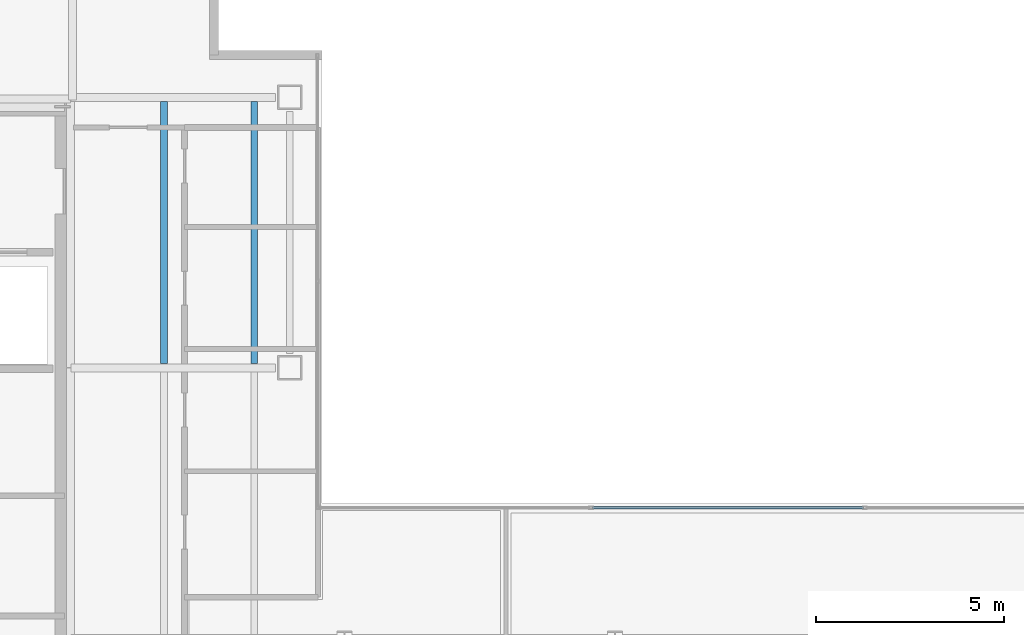
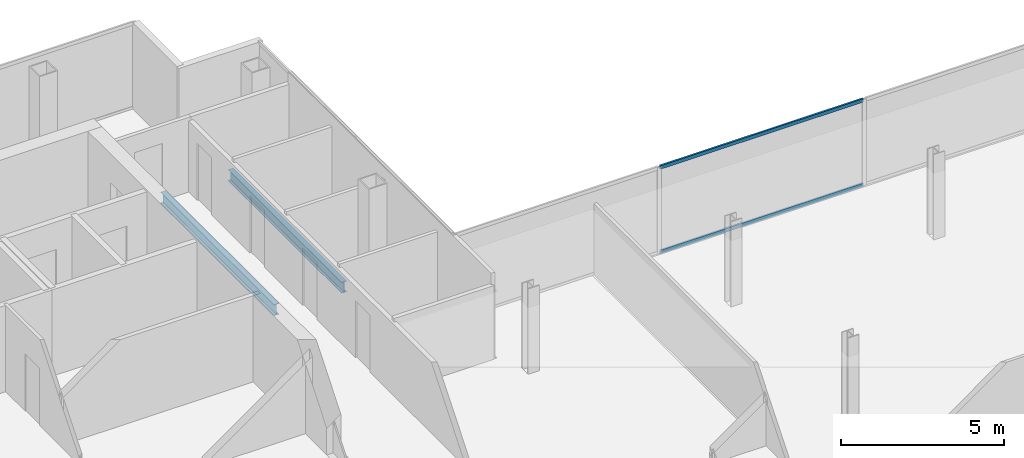
# One storey, part 10 of 24: 2 beams, 2 members, 1 element without a shape of its own.
"""IFC4 building model written with IfcOpenShell, lengths in metres."""

from ifc_helpers import new_model, si_unit, direction, frame, origin, origin_2d, place, context, subcontext, project, spatial, hollow_rectangle, i_section, extrude, material, material_profile, profile_set, type_object, element, aggregate, save


model = new_model("IFC4")

# Units and contexts
model_context = context("Model", 3, precision=1e-05, world=origin(), true_north=direction((0.0, 1.0)))
body_context = subcontext(model_context, "Body", "Model", "MODEL_VIEW")
ifc_project = project(units=[si_unit("LENGTHUNIT", "METRE"), si_unit("AREAUNIT", "SQUARE_METRE"), si_unit("VOLUMEUNIT", "CUBIC_METRE"), si_unit("PLANEANGLEUNIT", "RADIAN"), si_unit("MASSUNIT", "GRAM", prefix="KILO")], contexts=[model_context])

# Site, building, storey
site_placement = place(None, origin())
site = spatial("IfcSite", under=ifc_project, at=site_placement, CompositionType="ELEMENT")
building_placement = place(site_placement, origin())
building = spatial("IfcBuilding", under=site, at=building_placement, Name="Cobrela Telecom Tower", CompositionType="ELEMENT")
storey_placement = place(building_placement, frame((0.0, 0.0, 241.14990234375)))
storey = spatial("IfcBuildingStorey", under=building, at=storey_placement, Name="L62", CompositionType="ELEMENT", Elevation=241.14990234375)

# Beams
ifc_material_1 = material(Name="Steel ASTM A992 Grade 50", Category="steel")
ifc_material_profile_1 = material_profile(ifc_material_1, i_section(OverallWidth=0.179931640625, OverallDepth=0.4169921875, WebThickness=0.010986328125, FlangeThickness=0.01806640625, FilletRadius=0.011962890625, at=origin_2d()), Name="W16X57")
ifc_profile_set_1 = profile_set([ifc_material_profile_1], Name="Steel ASTM A992 Grade 50")
beam_type = type_object("IfcBeamType", Name="BM-JOIST-04", PredefinedType="JOIST", material=ifc_profile_set_1)
for number, where, z_axis, x_axis, name in (
    (1, (16.800048828125, 28.91162109375, -0.468505859375), (0.0, 1.0, 0.0), (-1.0, 0.0, 0.0), "L62 Secondary Composite Floor Beam J03"),
    (2, (19.199951171875, 28.91162109375, -0.468505859375), (0.0, 1.0, 0.0), (-1.0, 0.0, 0.0), "L62 Secondary Composite Floor Beam J06"),
):
    element("IfcBeam", number, at=place(storey_placement, frame(where, z_axis=z_axis, x_axis=x_axis)), inside=storey, type_object=beam_type, Name=name, PredefinedType="JOIST", context=body_context, shape_type="SweptSolid", body=[
        extrude(i_section(OverallWidth=0.179931640625, OverallDepth=0.4169921875, WebThickness=0.010986328125, FlangeThickness=0.01806640625, FilletRadius=0.011962890625, at=origin_2d()), origin(), (0.0, 0.0, 1.0), 6.976806640625),
    ])

# Curtain wall, members
ifc_material_2 = material(Name="Anodized Bronze Aluminium 6063-T6", Category="aluminium")
curtain_wall_type = type_object("IfcCurtainWallType", Name="CW-SYS-OFF-HI", PredefinedType="USERDEFINED", material=ifc_material_2)
curtain_wall_placement = place(storey_placement, origin())
curtain_wall = element("IfcCurtainWall", 3, at=curtain_wall_placement, inside=storey, type_object=curtain_wall_type, Name="L62 Unitised Bronze Curtain Wall 09", ObjectType="UNITISED CURTAIN WALL", PredefinedType="USERDEFINED")
ifc_material_profile_2 = material_profile(ifc_material_2, hollow_rectangle(XDim=0.06494140625, YDim=0.1298828125, WallThickness=0.00390625, at=origin_2d()), Name="ALU 65x130x4")
ifc_profile_set_2 = profile_set([ifc_material_profile_2], Name="Anodized Bronze Aluminium 6063-T6")
member_type = type_object("IfcMemberType", Name="CW-SYS-OFF-HI-TRN", PredefinedType="USERDEFINED", material=ifc_profile_set_2)
member_1_placement = place(storey_placement, frame((28.1982421875, 25.080078125, 0.03271484375), z_axis=(1.0, 0.0, 0.0), x_axis=(0.0, 1.0, 0.0)))
member_1 = element("IfcMember", 4, at=member_1_placement, type_object=member_type, Name="CW-OFF-HI transom 2.1", ObjectType="TRANSOM", PredefinedType="USERDEFINED", context=body_context, shape_type="SweptSolid", body=[
    extrude(hollow_rectangle(XDim=0.06494140625, YDim=0.1298828125, WallThickness=0.00390625, at=origin_2d()), origin(), (0.0, 0.0, 1.0), 7.21337890625),
])
member_2_placement = place(storey_placement, frame((28.1982421875, 25.080078125, 3.20751953125), z_axis=(1.0, 0.0, 0.0), x_axis=(0.0, 1.0, 0.0)))
member_2 = element("IfcMember", 5, at=member_2_placement, type_object=member_type, Name="CW-OFF-HI transom 2.2", ObjectType="TRANSOM", PredefinedType="USERDEFINED", context=body_context, shape_type="SweptSolid", body=[
    extrude(hollow_rectangle(XDim=0.06494140625, YDim=0.1298828125, WallThickness=0.00390625, at=origin_2d()), origin(), (0.0, 0.0, 1.0), 7.21337890625),
])
aggregate(curtain_wall, [member_1, member_2])

save(model, "model.ifc")
